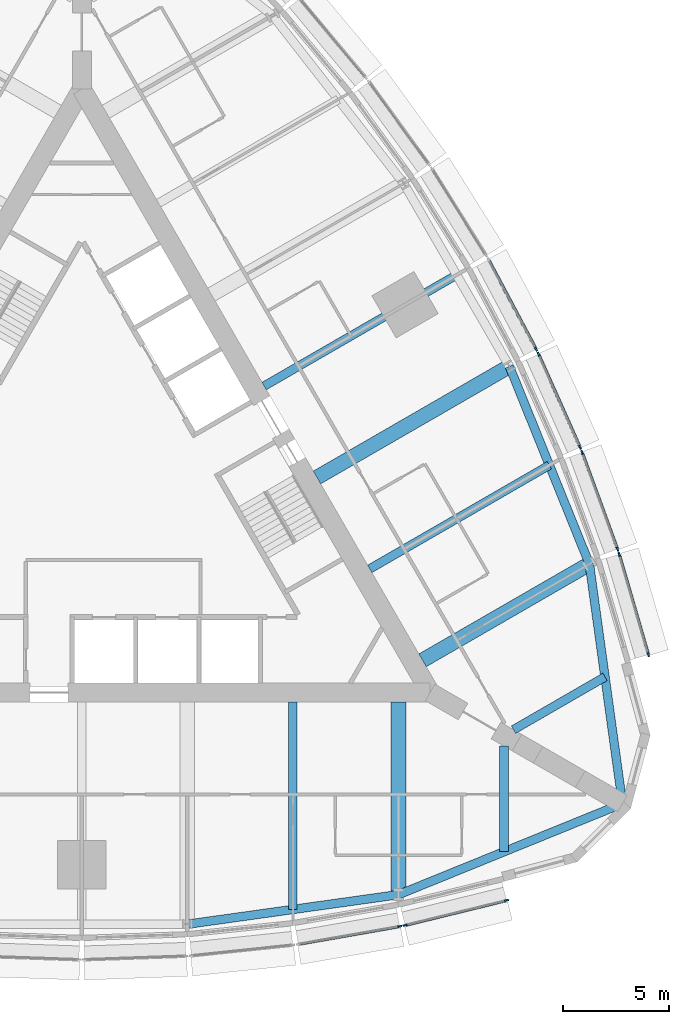
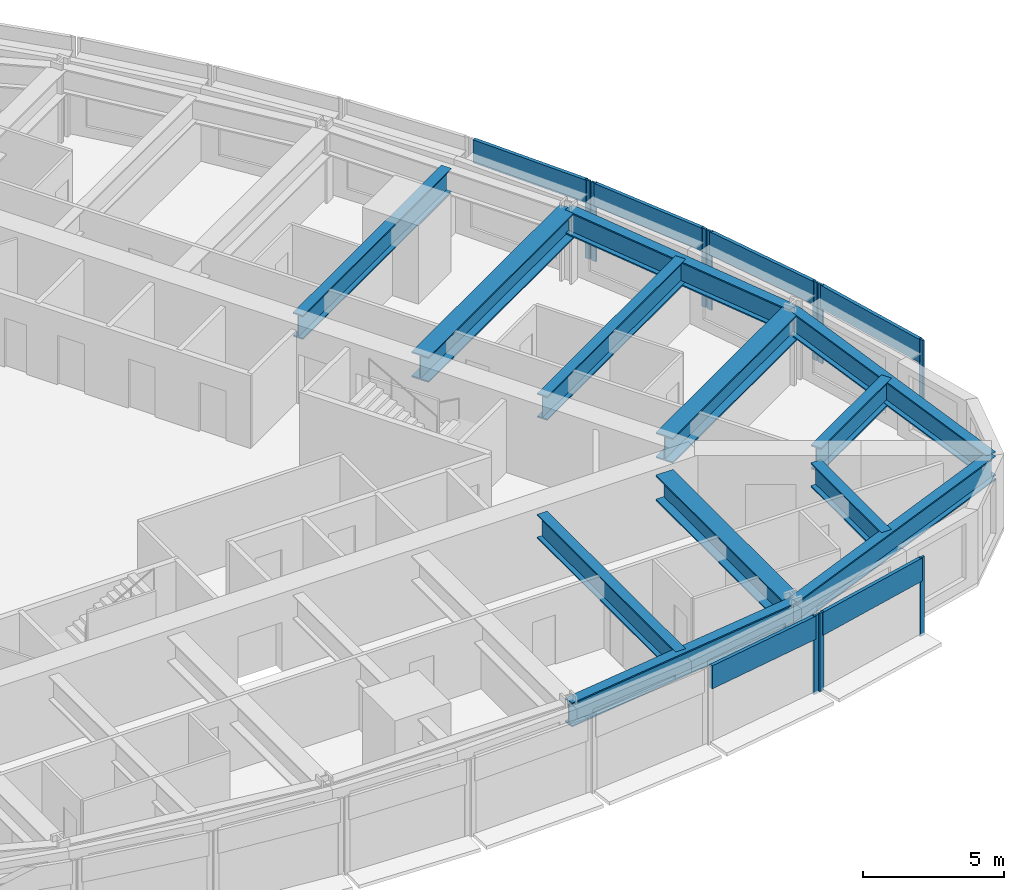
# One storey, part 4 of 15: 16 members, 12 beams, 6 elements without a shape of their own.
"""IFC4 building model written with IfcOpenShell, lengths in metres."""

from ifc_helpers import new_model, si_unit, direction, frame, origin, origin_2d, place, context, subcontext, project, spatial, rectangle, i_section, extrude, material, material_profile, profile_set, type_object, element, aggregate, save


model = new_model("IFC4")

# Units and contexts
model_context = context("Model", 3, precision=1e-05, world=origin(), true_north=direction((0.0, 1.0)))
body_context = subcontext(model_context, "Body", "Model", "MODEL_VIEW")
ifc_project = project(units=[si_unit("LENGTHUNIT", "METRE"), si_unit("AREAUNIT", "SQUARE_METRE"), si_unit("VOLUMEUNIT", "CUBIC_METRE"), si_unit("PLANEANGLEUNIT", "RADIAN"), si_unit("MASSUNIT", "GRAM", prefix="KILO")], contexts=[model_context])

# Site, building, storey
site_placement = place(None, origin())
site = spatial("IfcSite", under=ifc_project, at=site_placement, CompositionType="ELEMENT")
building_placement = place(site_placement, origin())
building = spatial("IfcBuilding", under=site, at=building_placement, Name="Trikona Tower", CompositionType="ELEMENT")
storey_placement = place(building_placement, frame((0.0, 0.0, 186.10009765625)))
storey = spatial("IfcBuildingStorey", under=building, at=storey_placement, Name="L50", CompositionType="ELEMENT", Elevation=186.10009765625)

# Curtain wall, member
ifc_material_1 = material(Name="Aluminium curtain wall system", Category="aluminium")
curtain_wall_type = type_object("IfcCurtainWallType", Name="Curtain wall DS2S", PredefinedType="NOTDEFINED", material=ifc_material_1)
curtain_wall_1_placement = place(storey_placement, origin())
curtain_wall_1 = element("IfcCurtainWall", 1, at=curtain_wall_1_placement, inside=storey, type_object=curtain_wall_type, Name="Curtain wall DS2S L50", PredefinedType="NOTDEFINED")
ifc_material_2 = material(Name="Aluminium mullion, pale anodised", Category="aluminium")
ifc_material_profile_1 = material_profile(ifc_material_2, rectangle(XDim=0.080078125, YDim=0.199951171875, at=origin_2d()), Name="MUL-DS2S")
ifc_profile_set_1 = profile_set([ifc_material_profile_1], Name="Aluminium mullion, pale anodised")
member_type_1 = type_object("IfcMemberType", Name="Mullion DS2S 80x200", PredefinedType="MULLION", material=ifc_profile_set_1)
member_1_placement = place(storey_placement, frame((15.056640625, -20.60400390625, 0.0), z_axis=(0.0, 0.0, 1.0), x_axis=(-0.17237739505, 0.985030981074, 0.0)))
member_1 = element("IfcMember", 2, at=member_1_placement, type_object=member_type_1, Name="CW-DS2S mullion 2", PredefinedType="MULLION", context=body_context, shape_type="SweptSolid", body=[
    extrude(rectangle(XDim=0.080078125, YDim=0.199951171875, at=origin_2d()), origin(), (0.0, 0.0, 1.0), 3.39990234375),
])

# Curtain wall, members
curtain_wall_2_placement = place(storey_placement, origin())
curtain_wall_2 = element("IfcCurtainWall", 3, at=curtain_wall_2_placement, inside=storey, type_object=curtain_wall_type, Name="Curtain wall DS2S L50", PredefinedType="NOTDEFINED")
member_2_placement = place(storey_placement, frame((15.311279296875, -20.550537109375, 0.0), z_axis=(0.0, 0.0, 1.0), x_axis=(-0.237970204243, 0.971272455026, 0.0)))
member_2 = element("IfcMember", 4, at=member_2_placement, type_object=member_type_1, Name="CW-DS2S mullion 1", PredefinedType="MULLION", context=body_context, shape_type="SweptSolid", body=[
    extrude(rectangle(XDim=0.080078125, YDim=0.199951171875, at=origin_2d()), origin(), (0.0, 0.0, 1.0), 3.39990234375),
])
member_3_placement = place(storey_placement, frame((20.116943359375, -19.373046875, 0.0), z_axis=(0.0, 0.0, 1.0), x_axis=(-0.237970204243, 0.971272455026, 0.0)))
member_3 = element("IfcMember", 5, at=member_3_placement, type_object=member_type_1, Name="CW-DS2S mullion 2", PredefinedType="MULLION", context=body_context, shape_type="SweptSolid", body=[
    extrude(rectangle(XDim=0.080078125, YDim=0.199951171875, at=origin_2d()), origin(), (0.0, 0.0, 1.0), 3.39990234375),
])

curtain_wall_3_placement = place(storey_placement, origin())
curtain_wall_3 = element("IfcCurtainWall", 6, at=curtain_wall_3_placement, inside=storey, type_object=curtain_wall_type, Name="Curtain wall DS2S L50", PredefinedType="NOTDEFINED")
member_4_placement = place(storey_placement, frame((26.836181640625, -7.7353515625, 0.0), z_axis=(0.0, 0.0, 1.0), x_axis=(-0.96013310152, -0.279543247757, 0.0)))
member_4 = element("IfcMember", 7, at=member_4_placement, type_object=member_type_1, Name="CW-DS2S mullion 1", PredefinedType="MULLION", context=body_context, shape_type="SweptSolid", body=[
    extrude(rectangle(XDim=0.080078125, YDim=0.199951171875, at=origin_2d()), origin(), (0.0, 0.0, 1.0), 3.39990234375),
])
member_5_placement = place(storey_placement, frame((25.452880859375, -2.984619140625, 0.0), z_axis=(0.0, 0.0, 1.0), x_axis=(-0.96013310152, -0.279543247757, 0.0)))
member_5 = element("IfcMember", 8, at=member_5_placement, type_object=member_type_1, Name="CW-DS2S mullion 2", PredefinedType="MULLION", context=body_context, shape_type="SweptSolid", body=[
    extrude(rectangle(XDim=0.080078125, YDim=0.199951171875, at=origin_2d()), origin(), (0.0, 0.0, 1.0), 3.39990234375),
])

curtain_wall_4_placement = place(storey_placement, origin())
curtain_wall_4 = element("IfcCurtainWall", 9, at=curtain_wall_4_placement, inside=storey, type_object=curtain_wall_type, Name="Curtain wall DS2S L50", PredefinedType="NOTDEFINED")
member_6_placement = place(storey_placement, frame((25.371826171875, -2.737548828125, 0.0), z_axis=(0.0, 0.0, 1.0), x_axis=(-0.939253790978, -0.343223420143, 0.0)))
member_6 = element("IfcMember", 10, at=member_6_placement, type_object=member_type_1, Name="CW-DS2S mullion 1", PredefinedType="MULLION", context=body_context, shape_type="SweptSolid", body=[
    extrude(rectangle(XDim=0.080078125, YDim=0.199951171875, at=origin_2d()), origin(), (0.0, 0.0, 1.0), 3.39990234375),
])
member_7_placement = place(storey_placement, frame((23.6982421875, 1.84228515625, 0.0), z_axis=(0.0, 0.0, 1.0), x_axis=(-0.939253790978, -0.343223420143, 0.0)))
member_7 = element("IfcMember", 11, at=member_7_placement, type_object=member_type_1, Name="CW-DS2S mullion 2", PredefinedType="MULLION", context=body_context, shape_type="SweptSolid", body=[
    extrude(rectangle(XDim=0.080078125, YDim=0.199951171875, at=origin_2d()), origin(), (0.0, 0.0, 1.0), 3.39990234375),
])

curtain_wall_5_placement = place(storey_placement, origin())
curtain_wall_5 = element("IfcCurtainWall", 12, at=curtain_wall_5_placement, inside=storey, type_object=curtain_wall_type, Name="Curtain wall DS2S L50", PredefinedType="NOTDEFINED")
member_8_placement = place(storey_placement, frame((23.60009765625, 2.0849609375, 0.0), z_axis=(0.0, 0.0, 1.0), x_axis=(-0.913501208767, -0.406836013132, 0.0)))
member_8 = element("IfcMember", 13, at=member_8_placement, type_object=member_type_1, Name="CW-DS2S mullion 1", PredefinedType="MULLION", context=body_context, shape_type="SweptSolid", body=[
    extrude(rectangle(XDim=0.080078125, YDim=0.199951171875, at=origin_2d()), origin(), (0.0, 0.0, 1.0), 3.39990234375),
])
member_9_placement = place(storey_placement, frame((21.63623046875, 6.494873046875, 0.0), z_axis=(0.0, 0.0, 1.0), x_axis=(-0.913501208767, -0.406836013132, 0.0)))
member_9 = element("IfcMember", 14, at=member_9_placement, type_object=member_type_1, Name="CW-DS2S mullion 2", PredefinedType="MULLION", context=body_context, shape_type="SweptSolid", body=[
    extrude(rectangle(XDim=0.080078125, YDim=0.199951171875, at=origin_2d()), origin(), (0.0, 0.0, 1.0), 3.39990234375),
])

# Curtain wall, member
curtain_wall_6_placement = place(storey_placement, origin())
curtain_wall_6 = element("IfcCurtainWall", 15, at=curtain_wall_6_placement, inside=storey, type_object=curtain_wall_type, Name="Curtain wall DS2S L50", PredefinedType="NOTDEFINED")
member_10_placement = place(storey_placement, frame((21.52099609375, 6.730712890625, 0.0), z_axis=(0.0, 0.0, 1.0), x_axis=(-0.882996107343, -0.469380308937, 0.0)))
member_10 = element("IfcMember", 16, at=member_10_placement, type_object=member_type_1, Name="CW-DS2S mullion 1", PredefinedType="MULLION", context=body_context, shape_type="SweptSolid", body=[
    extrude(rectangle(XDim=0.080078125, YDim=0.199951171875, at=origin_2d()), origin(), (0.0, 0.0, 1.0), 3.39990234375),
])

# Beams
ifc_material_3 = material(Name="Steel ASTM A992 Grade 50", Category="steel")
ifc_material_profile_2 = material_profile(ifc_material_3, i_section(OverallWidth=0.699951171875, OverallDepth=1.10009765625, WebThickness=0.0400390625, FlangeThickness=0.06005859375, at=origin_2d()), Name="PG1100X700")
ifc_profile_set_2 = profile_set([ifc_material_profile_2], Name="Steel ASTM A992 Grade 50")
beam_type_1 = type_object("IfcBeamType", Name="Steel beam PG1100x700 (belt chord radial)", PredefinedType="BEAM", material=ifc_profile_set_2)
beam_1_placement = place(storey_placement, frame((15.0, -9.976318359375, 2.599853515625), z_axis=(0.0, -1.0, 0.0), x_axis=(1.0, 0.0, 0.0)))
element("IfcBeam", 17, at=beam_1_placement, inside=storey, type_object=beam_type_1, Name="Floor beam L51 F1 u15", PredefinedType="BEAM", context=body_context, shape_type="SweptSolid", body=[
    extrude(i_section(OverallWidth=0.699951171875, OverallDepth=1.10009765625, WebThickness=0.0400390625, FlangeThickness=0.06005859375, at=origin_2d()), origin(), (0.0, 0.0, 1.0), 9.123779296875),
])
beam_2_placement = place(storey_placement, frame((16.1396484375, -8.002197265625, 2.599853515625), z_axis=(0.866024725532, 0.500001174766, 0.0), x_axis=(-0.500001174766, 0.866024725532, 0.0)))
element("IfcBeam", 18, at=beam_2_placement, inside=storey, type_object=beam_type_1, Name="Floor beam L51 F2 u-15", PredefinedType="BEAM", context=body_context, shape_type="SweptSolid", body=[
    extrude(i_section(OverallWidth=0.699951171875, OverallDepth=1.10009765625, WebThickness=0.0400390625, FlangeThickness=0.06005859375, at=origin_2d()), origin(), (0.0, 0.0, 1.0), 9.1240234375),
])
beam_3_placement = place(storey_placement, frame((11.1396484375, 0.657958984375, 2.599853515625), z_axis=(0.866026035623, 0.499998905622, 0.0), x_axis=(-0.499998905622, 0.866026035623, 0.0)))
element("IfcBeam", 19, at=beam_3_placement, inside=storey, type_object=beam_type_1, Name="Floor beam L51 F2 u-5", PredefinedType="BEAM", context=body_context, shape_type="SweptSolid", body=[
    extrude(i_section(OverallWidth=0.699951171875, OverallDepth=1.10009765625, WebThickness=0.0400390625, FlangeThickness=0.06005859375, at=origin_2d()), origin(), (0.0, 0.0, 1.0), 10.52392578125),
])
ifc_material_4 = material(Name="Steel ASTM A992 Grade 50", Category="steel")
ifc_material_profile_3 = material_profile(ifc_material_4, i_section(OverallWidth=0.408935546875, OverallDepth=1.04150390625, WebThickness=0.031005859375, FlangeThickness=0.055908203125, at=origin_2d()), Name="W40X397")
ifc_profile_set_3 = profile_set([ifc_material_profile_3], Name="Steel ASTM A992 Grade 50")
beam_type_2 = type_object("IfcBeamType", Name="Steel beam W40x397 (plant spandrel)", PredefinedType="SPANDREL", material=ifc_profile_set_3)
beam_4_placement = place(storey_placement, frame((5.0, -20.500244140625, 2.629150390625), z_axis=(0.990339754644, 0.13866207258, 0.0), x_axis=(-0.13866207258, 0.990339754644, 0.0)))
element("IfcBeam", 20, at=beam_4_placement, inside=storey, type_object=beam_type_2, Name="Spandrel beam L51 F1-4", PredefinedType="SPANDREL", context=body_context, shape_type="SweptSolid", body=[
    extrude(i_section(OverallWidth=0.408935546875, OverallDepth=1.04150390625, WebThickness=0.031005859375, FlangeThickness=0.055908203125, at=origin_2d()), origin(), (0.0, 0.0, 1.0), 10.09765625),
])
for number, where, z_axis, x_axis, name in (
    (21, (15.0, -19.10009765625, 2.629150390625), (0.926359695662, 0.376640032728, 0.0), (-0.376640032728, 0.926359695662, 0.0), "Spandrel beam L51 F1-5"),
    (22, (25.6103515625, -14.7861328125, 2.629150390625), (-0.136991535842, 0.990572218017, 0.0), (-0.990572218017, -0.136991535842, 0.0), "Spandrel beam L51 F2-1"),
):
    element("IfcBeam", number, at=place(storey_placement, frame(where, z_axis=z_axis, x_axis=x_axis)), inside=storey, type_object=beam_type_2, Name=name, PredefinedType="SPANDREL", context=body_context, shape_type="SweptSolid", body=[
        extrude(i_section(OverallWidth=0.408935546875, OverallDepth=1.04150390625, WebThickness=0.031005859375, FlangeThickness=0.055908203125, at=origin_2d()), origin(), (0.0, 0.0, 1.0), 11.453857421875),
    ])
beam_5_placement = place(storey_placement, frame((24.041259765625, -3.440185546875, 2.629150390625), z_axis=(-0.375106193787, 0.926981846307, 0.0), x_axis=(-0.926981846307, -0.375106193787, 0.0)))
element("IfcBeam", 23, at=beam_5_placement, inside=storey, type_object=beam_type_2, Name="Spandrel beam L51 F2-2", PredefinedType="SPANDREL", context=body_context, shape_type="SweptSolid", body=[
    extrude(i_section(OverallWidth=0.408935546875, OverallDepth=1.04150390625, WebThickness=0.031005859375, FlangeThickness=0.055908203125, at=origin_2d()), origin(), (0.0, 0.0, 1.0), 10.097412109375),
])
ifc_material_5 = material(Name="Steel ASTM A992 Grade 50", Category="steel")
ifc_material_profile_4 = material_profile(ifc_material_5, i_section(OverallWidth=0.408935546875, OverallDepth=1.04150390625, WebThickness=0.031005859375, FlangeThickness=0.055908203125, at=origin_2d()), Name="W40X397")
ifc_profile_set_4 = profile_set([ifc_material_profile_4], Name="Steel ASTM A992 Grade 50")
beam_type_3 = type_object("IfcBeamType", Name="Steel beam W40x397 (plant)", PredefinedType="BEAM", material=ifc_profile_set_4)
for number, where, z_axis, x_axis, name in (
    (24, (10.0, -9.976318359375, 2.629150390625), (0.0, -1.0, 0.0), (1.0, 0.0, 0.0), "Floor beam L51 F1 u10"),
    (25, (13.6396484375, -3.672119140625, 2.629150390625), (0.866020046725, 0.500009278584, 0.0), (-0.500009278584, 0.866020046725, 0.0), "Floor beam L51 F2 u-10"),
):
    element("IfcBeam", number, at=place(storey_placement, frame(where, z_axis=z_axis, x_axis=x_axis)), inside=storey, type_object=beam_type_3, Name=name, PredefinedType="BEAM", context=body_context, shape_type="SweptSolid", body=[
        extrude(i_section(OverallWidth=0.408935546875, OverallDepth=1.04150390625, WebThickness=0.031005859375, FlangeThickness=0.055908203125, at=origin_2d()), origin(), (0.0, 0.0, 1.0), 9.823974609375),
    ])
beam_6_placement = place(storey_placement, frame((8.6396484375, 4.988037109375, 2.629150390625), z_axis=(0.866026035623, 0.499998905622, 0.0), x_axis=(-0.499998905622, 0.866026035623, 0.0)))
element("IfcBeam", 26, at=beam_6_placement, inside=storey, type_object=beam_type_3, Name="Floor beam L51 F2 u0", PredefinedType="BEAM", context=body_context, shape_type="SweptSolid", body=[
    extrude(i_section(OverallWidth=0.408935546875, OverallDepth=1.04150390625, WebThickness=0.031005859375, FlangeThickness=0.055908203125, at=origin_2d()), origin(), (0.0, 0.0, 1.0), 10.52392578125),
])
ifc_material_6 = material(Name="Steel ASTM A992 Grade 50", Category="steel")
ifc_material_profile_5 = material_profile(ifc_material_6, i_section(OverallWidth=0.411376953125, OverallDepth=1.049072265625, WebThickness=0.033935546875, FlangeThickness=0.06005859375, at=origin_2d()), Name="W40X431")
ifc_profile_set_5 = profile_set([ifc_material_profile_5], Name="Steel ASTM A992 Grade 50")
beam_type_4 = type_object("IfcBeamType", Name="Steel beam W40x431 (plant wedge)", PredefinedType="BEAM", material=ifc_profile_set_5)
beam_7_placement = place(storey_placement, frame((20.0, -12.066650390625, 2.62548828125), z_axis=(0.0, -1.0, 0.0), x_axis=(1.0, 0.0, 0.0)))
element("IfcBeam", 27, at=beam_7_placement, inside=storey, type_object=beam_type_4, Name="Floor beam L51 F1 u20", PredefinedType="BEAM", context=body_context, shape_type="SweptSolid", body=[
    extrude(i_section(OverallWidth=0.411376953125, OverallDepth=1.049072265625, WebThickness=0.033935546875, FlangeThickness=0.06005859375, at=origin_2d()), origin(), (0.0, 0.0, 1.0), 5.00048828125),
])
beam_8_placement = place(storey_placement, frame((20.449951171875, -11.287109375, 2.62548828125), z_axis=(0.866038434829, 0.49997742889, 0.0), x_axis=(-0.49997742889, 0.866038434829, 0.0)))
element("IfcBeam", 28, at=beam_8_placement, inside=storey, type_object=beam_type_4, Name="Floor beam L51 F2 u-20", PredefinedType="BEAM", context=body_context, shape_type="SweptSolid", body=[
    extrude(i_section(OverallWidth=0.411376953125, OverallDepth=1.049072265625, WebThickness=0.033935546875, FlangeThickness=0.06005859375, at=origin_2d()), origin(), (0.0, 0.0, 1.0), 5.000732421875),
])

# Member
ifc_material_7 = material(Name="Aluminium transom, pale anodised", Category="aluminium")
ifc_material_profile_6 = material_profile(ifc_material_7, rectangle(XDim=0.139892578125, YDim=1.0, at=origin_2d()), Name="TRN-DS2S")
ifc_profile_set_6 = profile_set([ifc_material_profile_6], Name="Aluminium transom, pale anodised")
member_type_2 = type_object("IfcMemberType", Name="Transom DS2S 1000x140", PredefinedType="USERDEFINED", material=ifc_profile_set_6)
member_11_placement = place(storey_placement, frame((10.29296875, -21.4375, 2.89990234375), z_axis=(0.98503262804, 0.172367983387, 0.0), x_axis=(-0.172367983387, 0.98503262804, 0.0)))
member_11 = element("IfcMember", 29, at=member_11_placement, type_object=member_type_2, Name="CW-DS2S transom 1.1", ObjectType="TRANSOM", PredefinedType="USERDEFINED", context=body_context, shape_type="SweptSolid", body=[
    extrude(rectangle(XDim=0.139892578125, YDim=1.0, at=origin_2d()), origin(), (0.0, 0.0, 1.0), 4.7958984375),
])

aggregate(curtain_wall_1, [member_1, member_11])

member_12_placement = place(storey_placement, frame((15.35009765625, -20.541015625, 2.89990234375), z_axis=(0.971270583303, 0.237977843528, 0.0), x_axis=(-0.237977843528, 0.971270583303, 0.0)))
member_12 = element("IfcMember", 30, at=member_12_placement, type_object=member_type_2, Name="CW-DS2S transom 1.1", ObjectType="TRANSOM", PredefinedType="USERDEFINED", context=body_context, shape_type="SweptSolid", body=[
    extrude(rectangle(XDim=0.139892578125, YDim=1.0, at=origin_2d()), origin(), (0.0, 0.0, 1.0), 4.867919921875),
])

aggregate(curtain_wall_2, [member_2, member_3, member_12])

member_13_placement = place(storey_placement, frame((26.824951171875, -7.69677734375, 2.89990234375), z_axis=(-0.279566628153, 0.960126293996, 0.0), x_axis=(-0.960126293996, -0.279566628153, 0.0)))
member_13 = element("IfcMember", 31, at=member_13_placement, type_object=member_type_2, Name="CW-DS2S transom 1.1", ObjectType="TRANSOM", PredefinedType="USERDEFINED", context=body_context, shape_type="SweptSolid", body=[
    extrude(rectangle(XDim=0.139892578125, YDim=1.0, at=origin_2d()), origin(), (0.0, 0.0, 1.0), 4.86767578125),
])

aggregate(curtain_wall_3, [member_4, member_5, member_13])

member_14_placement = place(storey_placement, frame((25.358154296875, -2.699951171875, 2.89990234375), z_axis=(-0.343205907674, 0.939260190223, 0.0), x_axis=(-0.939260190223, -0.343205907674, 0.0)))
member_14 = element("IfcMember", 32, at=member_14_placement, type_object=member_type_2, Name="CW-DS2S transom 1.1", ObjectType="TRANSOM", PredefinedType="USERDEFINED", context=body_context, shape_type="SweptSolid", body=[
    extrude(rectangle(XDim=0.139892578125, YDim=1.0, at=origin_2d()), origin(), (0.0, 0.0, 1.0), 4.7958984375),
])

aggregate(curtain_wall_4, [member_6, member_7, member_14])

member_15_placement = place(storey_placement, frame((23.583740234375, 2.12158203125, 2.89990234375), z_axis=(-0.406839769607, 0.913499535778, 0.0), x_axis=(-0.913499535778, -0.406839769607, 0.0)))
member_15 = element("IfcMember", 33, at=member_15_placement, type_object=member_type_2, Name="CW-DS2S transom 1.1", ObjectType="TRANSOM", PredefinedType="USERDEFINED", context=body_context, shape_type="SweptSolid", body=[
    extrude(rectangle(XDim=0.139892578125, YDim=1.0, at=origin_2d()), origin(), (0.0, 0.0, 1.0), 4.747314453125),
])

aggregate(curtain_wall_5, [member_8, member_9, member_15])

member_16_placement = place(storey_placement, frame((21.502197265625, 6.76611328125, 2.89990234375), z_axis=(-0.469364343408, 0.883004594063, 0.0), x_axis=(-0.883004594063, -0.469364343408, 0.0)))
member_16 = element("IfcMember", 34, at=member_16_placement, type_object=member_type_2, Name="CW-DS2S transom 1.1", ObjectType="TRANSOM", PredefinedType="USERDEFINED", context=body_context, shape_type="SweptSolid", body=[
    extrude(rectangle(XDim=0.139892578125, YDim=1.0, at=origin_2d()), origin(), (0.0, 0.0, 1.0), 4.722900390625),
])

aggregate(curtain_wall_6, [member_10, member_16])

save(model, "model.ifc")
